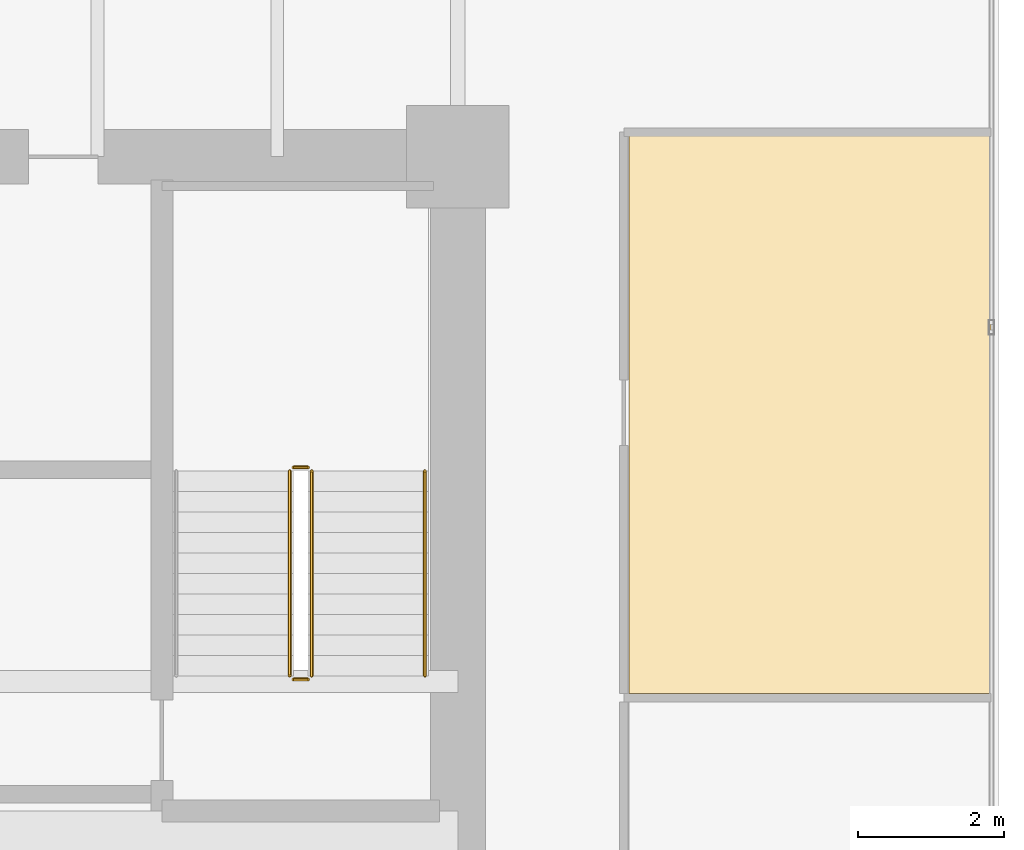
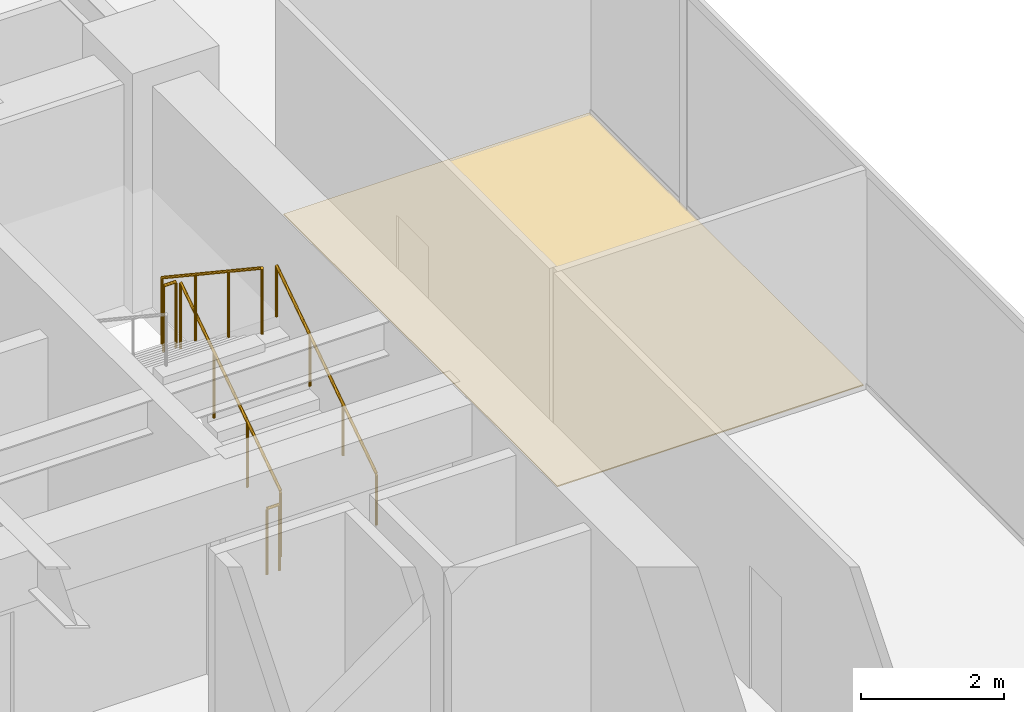
# One storey, part 36 of 36: 5 railings, 1 covering.
"""IFC4 building model written with IfcOpenShell, lengths in metres."""

from ifc_helpers import new_model, si_unit, direction, frame, origin, origin_2d, place, context, subcontext, project, spatial, polyline, circle, outline, extrude, source, transform, mapped, material, layer, layer_set, type_object, type_shapes, element, save


model = new_model("IFC4")

# Units and contexts
model_context = context("Model", 3, precision=1e-05, world=origin(), true_north=direction((0.0, 1.0)))
body_context = subcontext(model_context, "Body", "Model", "MODEL_VIEW")
ifc_project = project(units=[si_unit("LENGTHUNIT", "METRE"), si_unit("AREAUNIT", "SQUARE_METRE"), si_unit("VOLUMEUNIT", "CUBIC_METRE"), si_unit("PLANEANGLEUNIT", "RADIAN"), si_unit("MASSUNIT", "GRAM", prefix="KILO")], contexts=[model_context])

# Site, building, storey
site_placement = place(None, origin())
site = spatial("IfcSite", under=ifc_project, at=site_placement, CompositionType="ELEMENT")
building_placement = place(site_placement, origin())
building = spatial("IfcBuilding", under=site, at=building_placement, Name="Haelvirn Gate Laboratories", CompositionType="ELEMENT")
storey_placement = place(building_placement, frame((0.0, 0.0, 49.800048828125)))
storey = spatial("IfcBuildingStorey", under=building, at=storey_placement, Name="L12", CompositionType="ELEMENT", Elevation=49.800048828125)

# Covering
ifc_material_1 = material(Name="Seamless chemical-resistant epoxy laboratory flooring")
ifc_layer = layer(ifc_material_1, 0.01806640625, Name="COV-FLR-RESIN")
ifc_layer_set = layer_set([ifc_layer], Name="Seamless chemical-resistant epoxy laboratory flooring")
covering_type = type_object("IfcCoveringType", Name="COV-FLR-RESIN", PredefinedType="FLOORING", material=ifc_layer_set)
covering_placement = place(storey_placement, origin())
element("IfcCovering", 1, at=covering_placement, inside=storey, type_object=covering_type, Name="L12 Seamless Laboratory Flooring FLR-SP-L12-ECELL-02", PredefinedType="FLOORING", context=body_context, shape_type="SweptSolid", body=[
    extrude(outline(polyline([(69.739990234375, 34.135009765625), (74.68994140625, 34.135009765625), (74.68994140625, 26.4599609375), (69.739990234375, 26.4599609375), (69.739990234375, 34.135009765625)])), origin(), (0.0, 0.0, 1.0), 0.01806640625),
])

# Railings
ifc_material_2 = material(Name="Galvanised steel SM355 & stainless top rail", Category="steel")
railing_type_1 = type_object("IfcRailingType", Name="RL-GUARD-1150", PredefinedType="GUARDRAIL", material=ifc_material_2)
shared_shape_1 = source(origin(), body_context, "Body", "SweptSolid", [
    extrude(circle(Radius=0.02392578125, at=origin_2d()), frame((0.0, 0.0, 1.1259765625), z_axis=(0.0, 0.832452072856, 0.554097055034), x_axis=(-1.0, 0.0, 0.0)), (0.0, 0.0, 1.0), 3.363525390625),
    extrude(circle(Radius=0.02099609375, at=origin_2d()), origin(), (0.0, 0.0, 1.0), 1.101806640625),
    extrude(circle(Radius=0.02099609375, at=origin_2d()), frame((0.0, 0.933349609375, 0.621337890625)), (0.0, 0.0, 1.0), 1.101806640625),
    extrude(circle(Radius=0.02099609375, at=origin_2d()), frame((0.0, 1.86669921875, 1.242431640625)), (0.0, 0.0, 1.0), 1.101806640625),
    extrude(circle(Radius=0.02099609375, at=origin_2d()), frame((0.0, 2.800048828125, 1.86376953125)), (0.0, 0.0, 1.0), 1.101806640625),
])
railing_1_placement = place(storey_placement, frame((65.39990234375, 26.699951171875, 0.186279296875)))
element("IfcRailing", 2, at=railing_1_placement, inside=storey, type_object=railing_type_1, Name="L12 ST2 stair guard 1", PredefinedType="GUARDRAIL", context=body_context, shape_type="MappedRepresentation", body=[
    mapped(shared_shape_1, transform((0.0, 0.0, 0.0), scale=1.0)),
])
shared_shape_2 = source(origin(), body_context, "Body", "SweptSolid", [
    extrude(circle(Radius=0.02392578125, at=origin_2d()), frame((0.0, 0.0, 1.1259765625), z_axis=(0.0, -0.832485552168, 0.554046753832), x_axis=(1.0, 0.0, 0.0)), (0.0, 0.0, 1.0), 3.363525390625),
    extrude(circle(Radius=0.02099609375, at=origin_2d()), origin(), (0.0, 0.0, 1.0), 1.101806640625),
    extrude(circle(Radius=0.02099609375, at=origin_2d()), frame((0.0, -0.933349609375, 0.62109375)), (0.0, 0.0, 1.0), 1.101806640625),
    extrude(circle(Radius=0.02099609375, at=origin_2d()), frame((0.0, -1.86669921875, 1.242431640625)), (0.0, 0.0, 1.0), 1.101806640625),
    extrude(circle(Radius=0.02099609375, at=origin_2d()), frame((0.0, -2.800048828125, 1.863525390625)), (0.0, 0.0, 1.0), 1.101806640625),
])
railing_2_placement = place(storey_placement, frame((65.10009765625, 29.5, 2.236328125)))
element("IfcRailing", 3, at=railing_2_placement, inside=storey, type_object=railing_type_1, Name="L12 ST2 stair guard 3", PredefinedType="GUARDRAIL", context=body_context, shape_type="MappedRepresentation", body=[
    mapped(shared_shape_2, transform((0.0, 0.0, 0.0), scale=1.0)),
])
ifc_material_3 = material(Name="Brushed stainless steel 316L", Category="steel")
railing_type_2 = type_object("IfcRailingType", Name="RL-HAND-920", PredefinedType="HANDRAIL", material=ifc_material_3)
shared_shape_3 = source(origin(), body_context, "Body", "SweptSolid", [
    extrude(circle(Radius=0.02392578125, at=origin_2d()), frame((0.0, 0.0, 0.8759765625), z_axis=(0.0, 0.832452072856, 0.554097055034), x_axis=(-1.0, 0.0, 0.0)), (0.0, 0.0, 1.0), 3.363525390625),
    extrude(circle(Radius=0.02099609375, at=origin_2d()), origin(), (0.0, 0.0, 1.0), 0.851806640625),
    extrude(circle(Radius=0.02099609375, at=origin_2d()), frame((0.0, 0.933349609375, 0.621337890625)), (0.0, 0.0, 1.0), 0.851806640625),
    extrude(circle(Radius=0.02099609375, at=origin_2d()), frame((0.0, 1.86669921875, 1.242431640625)), (0.0, 0.0, 1.0), 0.851806640625),
    extrude(circle(Radius=0.02099609375, at=origin_2d()), frame((0.0, 2.800048828125, 1.86376953125)), (0.0, 0.0, 1.0), 0.851806640625),
])
type_shapes(railing_type_2, [shared_shape_3])
railing_3_placement = place(storey_placement, frame((66.949951171875, 26.699951171875, 0.186279296875)))
element("IfcRailing", 4, at=railing_3_placement, inside=storey, type_object=railing_type_2, Name="L12 ST2 stair handrail 1", PredefinedType="HANDRAIL", context=body_context, shape_type="MappedRepresentation", body=[
    mapped(shared_shape_3, transform((0.0, 0.0, 0.0), scale=1.0)),
])
shared_shape_4 = source(origin(), body_context, "Body", "SweptSolid", [
    extrude(circle(Radius=0.02392578125, at=origin_2d()), frame((0.0, 0.0, 1.1259765625), z_axis=(-1.0, 0.0, 0.0), x_axis=(0.0, -1.0, 0.0)), (0.0, 0.0, 1.0), 0.2001953125),
    extrude(circle(Radius=0.02099609375, at=origin_2d()), origin(), (0.0, 0.0, 1.0), 1.101806640625),
    extrude(circle(Radius=0.02099609375, at=origin_2d()), frame((-0.2001953125, 0.0, 0.0)), (0.0, 0.0, 1.0), 1.101806640625),
])
type_shapes(railing_type_1, [shared_shape_1, shared_shape_2, shared_shape_4])
for number, where, name in (
    (5, (65.35009765625, 29.550048828125, 2.050048828125), "L12 ST2 stair guard 2"),
    (6, (65.35009765625, 26.64990234375, 0.0), "L12 ST2 stair guard 4"),
):
    element("IfcRailing", number, at=place(storey_placement, frame(where)), inside=storey, type_object=railing_type_1, Name=name, PredefinedType="GUARDRAIL", context=body_context, shape_type="MappedRepresentation", body=[
        mapped(shared_shape_4, transform((0.0, 0.0, 0.0), scale=1.0)),
    ])

save(model, "model.ifc")
